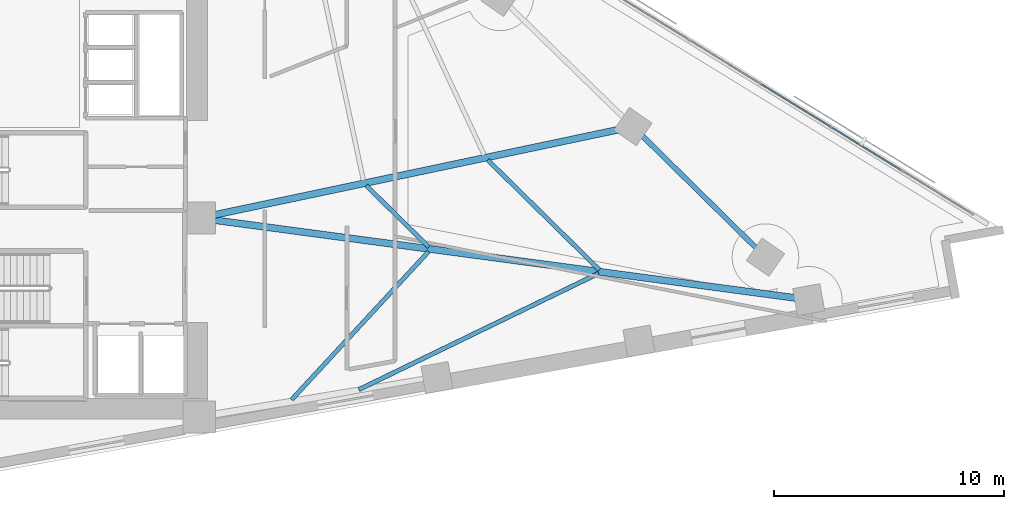
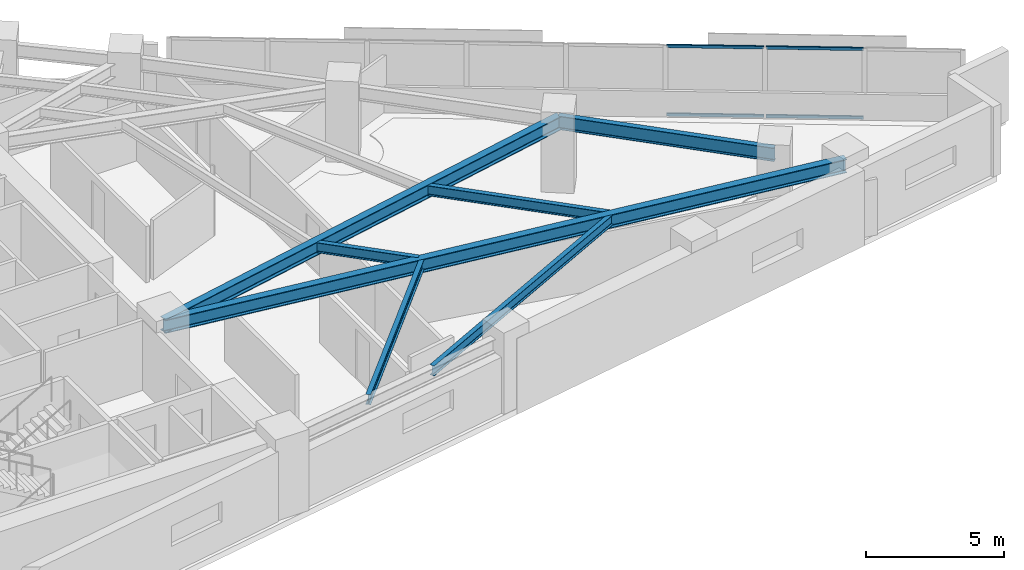
# One storey, part 3 of 20: 7 beams, 4 members, 1 element without a shape of its own.
"""IFC4 building model written with IfcOpenShell, lengths in metres."""

from ifc_helpers import new_model, si_unit, direction, frame, origin, origin_2d, place, context, subcontext, project, spatial, hollow_rectangle, i_section, extrude, material, material_profile, profile_set, type_object, element, aggregate, save


model = new_model("IFC4")

# Units and contexts
model_context = context("Model", 3, precision=1e-05, world=origin(), true_north=direction((0.0, 1.0)))
body_context = subcontext(model_context, "Body", "Model", "MODEL_VIEW")
ifc_project = project(units=[si_unit("LENGTHUNIT", "METRE"), si_unit("AREAUNIT", "SQUARE_METRE"), si_unit("VOLUMEUNIT", "CUBIC_METRE"), si_unit("PLANEANGLEUNIT", "RADIAN"), si_unit("MASSUNIT", "GRAM", prefix="KILO")], contexts=[model_context])

# Site, building, storey
site_placement = place(None, origin())
site = spatial("IfcSite", under=ifc_project, at=site_placement, CompositionType="ELEMENT")
building_placement = place(site_placement, origin())
building = spatial("IfcBuilding", under=site, at=building_placement, Name="Narakoshi Arena Tower", CompositionType="ELEMENT")
storey_placement = place(building_placement, frame((0.0, 0.0, 124.5)))
storey = spatial("IfcBuildingStorey", under=building, at=storey_placement, Name="L33", CompositionType="ELEMENT", Elevation=124.5)

# Beams
ifc_material_1 = material(Name="Structural steel S355J2", Category="steel")
ifc_material_profile_1 = material_profile(ifc_material_1, i_section(OverallWidth=0.219970703125, OverallDepth=0.60009765625, WebThickness=0.011962890625, FlangeThickness=0.01904296875, FilletRadius=0.02392578125, at=origin_2d()), Name="IPE600")
ifc_profile_set_1 = profile_set([ifc_material_profile_1], Name="Structural steel S355J2")
beam_type_1 = type_object("IfcBeamType", Name="BM-EDGE-600", PredefinedType="BEAM", material=ifc_profile_set_1)
beam_1_placement = place(storey_placement, frame((110.189208984375, 41.650146484375, 2.800048828125), z_axis=(-0.712543857268, 0.701627573196, 0.0), x_axis=(-0.701627573196, -0.712543857268, 0.0)))
element("IfcBeam", 1, at=beam_1_placement, inside=storey, type_object=beam_type_1, Name="L33 Perimeter Edge Girder 04", PredefinedType="BEAM", context=body_context, shape_type="SweptSolid", body=[
    extrude(i_section(OverallWidth=0.219970703125, OverallDepth=0.60009765625, WebThickness=0.011962890625, FlangeThickness=0.01904296875, FilletRadius=0.02392578125, at=origin_2d()), origin(), (0.0, 0.0, 1.0), 8.095947265625),
])
ifc_material_profile_2 = material_profile(ifc_material_1, i_section(OverallWidth=0.300048828125, OverallDepth=0.60009765625, WebThickness=0.015380859375, FlangeThickness=0.030029296875, FilletRadius=0.027099609375, at=origin_2d()), Name="HE600B")
ifc_profile_set_2 = profile_set([ifc_material_profile_2], Name="Structural steel S355J2")
beam_type_2 = type_object("IfcBeamType", Name="BM-PRI-600", PredefinedType="BEAM", material=ifc_profile_set_2)
beam_2_placement = place(storey_placement, frame((85.550048828125, 43.35009765625, 2.800048828125), z_axis=(0.991148352242, -0.132758968996, 0.0), x_axis=(0.132758968996, 0.991148352242, 0.0)))
element("IfcBeam", 2, at=beam_2_placement, inside=storey, type_object=beam_type_2, Name="L33 Radial Primary Floor Girder 03", PredefinedType="BEAM", context=body_context, shape_type="SweptSolid", body=[
    extrude(i_section(OverallWidth=0.300048828125, OverallDepth=0.60009765625, WebThickness=0.015380859375, FlangeThickness=0.030029296875, FilletRadius=0.027099609375, at=origin_2d()), origin(), (0.0, 0.0, 1.0), 26.757080078125),
])
beam_3_placement = place(storey_placement, frame((85.550048828125, 43.35009765625, 2.800048828125), z_axis=(0.978468582694, 0.206395815562, 0.0), x_axis=(-0.206395815562, 0.978468582694, 0.0)))
element("IfcBeam", 3, at=beam_3_placement, inside=storey, type_object=beam_type_2, Name="L33 Radial Primary Floor Girder 05", PredefinedType="BEAM", context=body_context, shape_type="SweptSolid", body=[
    extrude(i_section(OverallWidth=0.300048828125, OverallDepth=0.60009765625, WebThickness=0.015380859375, FlangeThickness=0.030029296875, FilletRadius=0.027099609375, at=origin_2d()), origin(), (0.0, 0.0, 1.0), 19.28564453125),
])
ifc_material_profile_3 = material_profile(ifc_material_1, i_section(OverallWidth=0.18994140625, OverallDepth=0.449951171875, WebThickness=0.009521484375, FlangeThickness=0.0146484375, FilletRadius=0.02099609375, at=origin_2d()), Name="IPE450")
ifc_profile_set_3 = profile_set([ifc_material_profile_3], Name="Structural steel S355J2")
beam_type_3 = type_object("IfcBeamType", Name="BM-SEC-450", PredefinedType="JOIST", material=ifc_profile_set_3)
beam_4_placement = place(storey_placement, frame((89.57080078125, 35.44970703125, 2.875), z_axis=(0.678905336319, 0.734225812893, 0.0), x_axis=(-0.734225812893, 0.678905336319, 0.0)))
element("IfcBeam", 4, at=beam_4_placement, inside=storey, type_object=beam_type_3, Name="L33 Composite Secondary Floor Joist 01", PredefinedType="JOIST", context=body_context, shape_type="SweptSolid", body=[
    extrude(i_section(OverallWidth=0.18994140625, OverallDepth=0.449951171875, WebThickness=0.009521484375, FlangeThickness=0.0146484375, FilletRadius=0.02099609375, at=origin_2d()), origin(), (0.0, 0.0, 1.0), 8.78662109375),
])
beam_5_placement = place(storey_placement, frame((92.495849609375, 35.888671875, 2.875), z_axis=(0.899874702282, 0.436148507039, 0.0), x_axis=(-0.436148507039, 0.899874702282, 0.0)))
element("IfcBeam", 5, at=beam_5_placement, inside=storey, type_object=beam_type_3, Name="L33 Composite Secondary Floor Joist 02", PredefinedType="JOIST", context=body_context, shape_type="SweptSolid", body=[
    extrude(i_section(OverallWidth=0.18994140625, OverallDepth=0.449951171875, WebThickness=0.009521484375, FlangeThickness=0.0146484375, FilletRadius=0.02099609375, at=origin_2d()), origin(), (0.0, 0.0, 1.0), 11.59716796875),
])
beam_6_placement = place(storey_placement, frame((95.531494140625, 42.094970703125, 2.875), z_axis=(-0.712564847826, 0.701606255419, 0.0), x_axis=(-0.701606255419, -0.712564847826, 0.0)))
element("IfcBeam", 6, at=beam_6_placement, inside=storey, type_object=beam_type_3, Name="L33 Composite Secondary Floor Joist 03", PredefinedType="JOIST", context=body_context, shape_type="SweptSolid", body=[
    extrude(i_section(OverallWidth=0.18994140625, OverallDepth=0.449951171875, WebThickness=0.009521484375, FlangeThickness=0.0146484375, FilletRadius=0.02099609375, at=origin_2d()), origin(), (0.0, 0.0, 1.0), 3.8095703125),
])
beam_7_placement = place(storey_placement, frame((102.957275390625, 41.100341796875, 2.875), z_axis=(-0.712565992933, 0.701605092424, 0.0), x_axis=(-0.701605092424, -0.712565992933, 0.0)))
element("IfcBeam", 7, at=beam_7_placement, inside=storey, type_object=beam_type_3, Name="L33 Composite Secondary Floor Joist 04", PredefinedType="JOIST", context=body_context, shape_type="SweptSolid", body=[
    extrude(i_section(OverallWidth=0.18994140625, OverallDepth=0.449951171875, WebThickness=0.009521484375, FlangeThickness=0.0146484375, FilletRadius=0.02099609375, at=origin_2d()), origin(), (0.0, 0.0, 1.0), 6.815673828125),
])

# Curtain wall, members
ifc_material_2 = material(Name="Anodised bronze aluminium 6063-T6", Category="aluminium")
curtain_wall_type = type_object("IfcCurtainWallType", Name="CW-HYP-LOW", PredefinedType="NOTDEFINED", material=ifc_material_2)
curtain_wall_placement = place(storey_placement, origin())
curtain_wall = element("IfcCurtainWall", 8, at=curtain_wall_placement, inside=storey, type_object=curtain_wall_type, Name="L33 Folded Hypotenuse Curtain Wall 1-1", PredefinedType="NOTDEFINED")
ifc_material_profile_4 = material_profile(ifc_material_2, hollow_rectangle(XDim=0.06494140625, YDim=0.1298828125, WallThickness=0.00390625, OuterFilletRadius=0.0048828125, at=origin_2d()), Name="TRN130x65x4")
ifc_profile_set_4 = profile_set([ifc_material_profile_4], Name="Anodised bronze aluminium 6063-T6")
member_type = type_object("IfcMemberType", Name="MEM-TRN-130", PredefinedType="USERDEFINED", material=ifc_profile_set_4)
member_1_placement = place(storey_placement, frame((116.085693359375, 45.4384765625, 0.032470703125), z_axis=(-0.852103699909, 0.523372988032, 0.0), x_axis=(-0.523372988032, -0.852103699909, 0.0)))
member_1 = element("IfcMember", 9, at=member_1_placement, type_object=member_type, Name="CW-01 transom 2.1", ObjectType="TRANSOM", PredefinedType="USERDEFINED", context=body_context, shape_type="SweptSolid", body=[
    extrude(hollow_rectangle(XDim=0.06494140625, YDim=0.1298828125, WallThickness=0.00390625, OuterFilletRadius=0.0048828125, at=origin_2d()), origin(), (0.0, 0.0, 1.0), 3.535888671875),
])
member_2_placement = place(storey_placement, frame((116.085693359375, 45.4384765625, 3.0673828125), z_axis=(-0.852103699909, 0.523372988032, 0.0), x_axis=(-0.523372988032, -0.852103699909, 0.0)))
member_2 = element("IfcMember", 10, at=member_2_placement, type_object=member_type, Name="CW-01 transom 2.2", ObjectType="TRANSOM", PredefinedType="USERDEFINED", context=body_context, shape_type="SweptSolid", body=[
    extrude(hollow_rectangle(XDim=0.06494140625, YDim=0.1298828125, WallThickness=0.00390625, OuterFilletRadius=0.0048828125, at=origin_2d()), origin(), (0.0, 0.0, 1.0), 3.535888671875),
])
member_3_placement = place(storey_placement, frame((113.0087890625, 47.328125, 0.032470703125), z_axis=(-0.852103699909, 0.523372988032, 0.0), x_axis=(-0.523372988032, -0.852103699909, 0.0)))
member_3 = element("IfcMember", 11, at=member_3_placement, type_object=member_type, Name="CW-01 transom 3.1", ObjectType="TRANSOM", PredefinedType="USERDEFINED", context=body_context, shape_type="SweptSolid", body=[
    extrude(hollow_rectangle(XDim=0.06494140625, YDim=0.1298828125, WallThickness=0.00390625, OuterFilletRadius=0.0048828125, at=origin_2d()), origin(), (0.0, 0.0, 1.0), 3.535888671875),
])
member_4_placement = place(storey_placement, frame((113.0087890625, 47.328125, 3.0673828125), z_axis=(-0.852103699909, 0.523372988032, 0.0), x_axis=(-0.523372988032, -0.852103699909, 0.0)))
member_4 = element("IfcMember", 12, at=member_4_placement, type_object=member_type, Name="CW-01 transom 3.2", ObjectType="TRANSOM", PredefinedType="USERDEFINED", context=body_context, shape_type="SweptSolid", body=[
    extrude(hollow_rectangle(XDim=0.06494140625, YDim=0.1298828125, WallThickness=0.00390625, OuterFilletRadius=0.0048828125, at=origin_2d()), origin(), (0.0, 0.0, 1.0), 3.535888671875),
])
aggregate(curtain_wall, [member_1, member_2, member_3, member_4])

save(model, "model.ifc")
